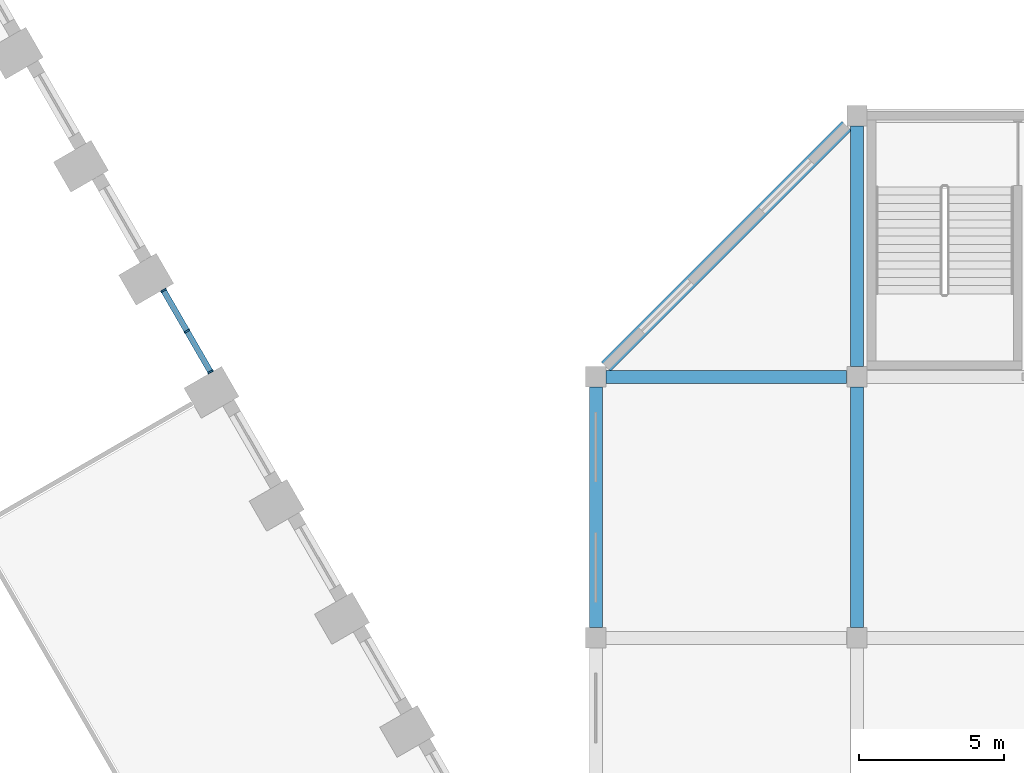
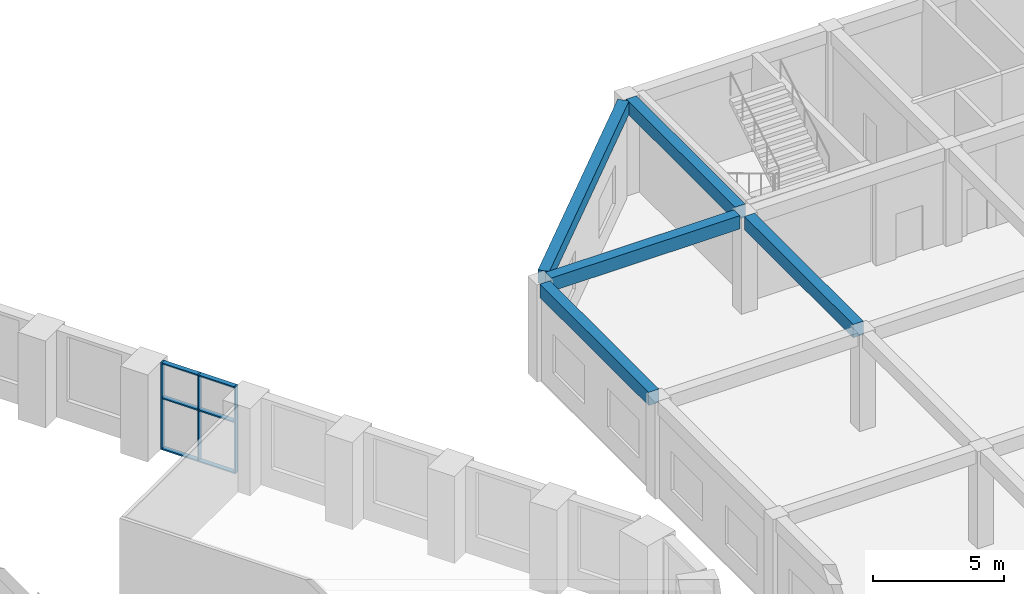
# One storey, part 9 of 42: 9 members, 5 beams, 1 element without a shape of its own.
"""IFC4 building model written with IfcOpenShell, lengths in metres."""

from ifc_helpers import new_model, si_unit, direction, frame, origin, origin_2d, place, context, subcontext, project, spatial, rectangle, extrude, material, layer, layer_set, material_profile, profile_set, type_object, element, aggregate, save


model = new_model("IFC4")

# Units and contexts
model_context = context("Model", 3, precision=1e-05, world=origin(), true_north=direction((0.0, 1.0)))
body_context = subcontext(model_context, "Body", "Model", "MODEL_VIEW")
ifc_project = project(units=[si_unit("LENGTHUNIT", "METRE"), si_unit("AREAUNIT", "SQUARE_METRE"), si_unit("VOLUMEUNIT", "CUBIC_METRE"), si_unit("PLANEANGLEUNIT", "RADIAN"), si_unit("MASSUNIT", "GRAM", prefix="KILO")], contexts=[model_context])

# Site, building, storey
site_placement = place(None, origin())
site = spatial("IfcSite", under=ifc_project, at=site_placement, CompositionType="ELEMENT")
building_placement = place(site_placement, origin())
building = spatial("IfcBuilding", under=site, at=building_placement, Name="Dhurran Vertical Campus", CompositionType="ELEMENT")
storey_placement = place(building_placement, frame((0.0, 0.0, 6.0)))
storey = spatial("IfcBuildingStorey", under=building, at=storey_placement, Name="L01", CompositionType="ELEMENT", Elevation=6.0)

# Curtain wall, members
ifc_material_1 = material(Name="Aluminium frame with solar-control glass", Category="aluminium")
ifc_layer = layer(ifc_material_1, 0.199951171875)
ifc_layer_set = layer_set([ifc_layer], Name="Aluminium frame with solar-control glass")
curtain_wall_type = type_object("IfcCurtainWallType", Name="Entrance glazing system", PredefinedType="NOTDEFINED", material=ifc_layer_set)
curtain_wall_placement = place(storey_placement, origin())
curtain_wall = element("IfcCurtainWall", 1, at=curtain_wall_placement, inside=storey, type_object=curtain_wall_type, Name="CW1 L01.30", PredefinedType="NOTDEFINED")
ifc_material_2 = material(Name="Aluminium mullion", Category="aluminium")
ifc_material_profile_1 = material_profile(ifc_material_2, rectangle(XDim=0.199951171875, YDim=0.06005859375, at=origin_2d()), Name="Entrance glazing system mullion")
ifc_profile_set_1 = profile_set([ifc_material_profile_1], Name="Aluminium mullion")
member_type_1 = type_object("IfcMemberType", Name="Entrance glazing system mullion", PredefinedType="MULLION", material=ifc_profile_set_1)
member_1_placement = place(storey_placement, frame((48.2138671875, 18.171875, 0.0), z_axis=(0.0, 0.0, 1.0), x_axis=(-0.866024054345, -0.50000233729, 0.0)))
member_1 = element("IfcMember", 2, at=member_1_placement, type_object=member_type_1, Name="CW1 mullion 1", PredefinedType="MULLION", context=body_context, shape_type="SweptSolid", body=[
    extrude(rectangle(XDim=0.199951171875, YDim=0.06005859375, at=origin_2d()), origin(), (0.0, 0.0, 1.0), 4.050048828125),
])
member_2_placement = place(storey_placement, frame((47.404052734375, 19.574462890625, 0.0), z_axis=(0.0, 0.0, 1.0), x_axis=(-0.866024054345, -0.50000233729, 0.0)))
member_2 = element("IfcMember", 3, at=member_2_placement, type_object=member_type_1, Name="CW1 mullion 2", PredefinedType="MULLION", context=body_context, shape_type="SweptSolid", body=[
    extrude(rectangle(XDim=0.199951171875, YDim=0.06005859375, at=origin_2d()), origin(), (0.0, 0.0, 1.0), 4.050048828125),
])
member_3_placement = place(storey_placement, frame((46.59423828125, 20.97705078125, 0.0), z_axis=(0.0, 0.0, 1.0), x_axis=(-0.866024054345, -0.50000233729, 0.0)))
member_3 = element("IfcMember", 4, at=member_3_placement, type_object=member_type_1, Name="CW1 mullion 3", PredefinedType="MULLION", context=body_context, shape_type="SweptSolid", body=[
    extrude(rectangle(XDim=0.199951171875, YDim=0.06005859375, at=origin_2d()), origin(), (0.0, 0.0, 1.0), 4.050048828125),
])
ifc_material_3 = material(Name="Aluminium transom", Category="aluminium")
ifc_material_profile_2 = material_profile(ifc_material_3, rectangle(XDim=0.199951171875, YDim=0.06005859375, at=origin_2d()), Name="Entrance glazing system transom")
ifc_profile_set_2 = profile_set([ifc_material_profile_2], Name="Aluminium transom")
member_type_2 = type_object("IfcMemberType", Name="Entrance glazing system transom", PredefinedType="USERDEFINED", material=ifc_profile_set_2)
member_4_placement = place(storey_placement, frame((48.19873046875, 18.197998046875, 0.030029296875), z_axis=(-0.500011542666, 0.866018739521, 0.0), x_axis=(-0.866018739521, -0.500011542666, 0.0)))
member_4 = element("IfcMember", 5, at=member_4_placement, type_object=member_type_2, Name="CW1 transom 1.1", ObjectType="TRANSOM", PredefinedType="USERDEFINED", context=body_context, shape_type="SweptSolid", body=[
    extrude(rectangle(XDim=0.199951171875, YDim=0.06005859375, at=origin_2d()), origin(), (0.0, 0.0, 1.0), 1.5595703125),
])
member_5_placement = place(storey_placement, frame((48.19873046875, 18.197998046875, 2.39990234375), z_axis=(-0.500011542666, 0.866018739521, 0.0), x_axis=(-0.866018739521, -0.500011542666, 0.0)))
member_5 = element("IfcMember", 6, at=member_5_placement, type_object=member_type_2, Name="CW1 transom 1.2", ObjectType="TRANSOM", PredefinedType="USERDEFINED", context=body_context, shape_type="SweptSolid", body=[
    extrude(rectangle(XDim=0.199951171875, YDim=0.06005859375, at=origin_2d()), origin(), (0.0, 0.0, 1.0), 1.5595703125),
])
member_6_placement = place(storey_placement, frame((48.19873046875, 18.197998046875, 4.02001953125), z_axis=(-0.500011542666, 0.866018739521, 0.0), x_axis=(-0.866018739521, -0.500011542666, 0.0)))
member_6 = element("IfcMember", 7, at=member_6_placement, type_object=member_type_2, Name="CW1 transom 1.3", ObjectType="TRANSOM", PredefinedType="USERDEFINED", context=body_context, shape_type="SweptSolid", body=[
    extrude(rectangle(XDim=0.199951171875, YDim=0.06005859375, at=origin_2d()), origin(), (0.0, 0.0, 1.0), 1.5595703125),
])
member_7_placement = place(storey_placement, frame((47.38916015625, 19.6005859375, 0.030029296875), z_axis=(-0.500079338265, 0.86597959297, 0.0), x_axis=(-0.86597959297, -0.500079338265, 0.0)))
member_7 = element("IfcMember", 8, at=member_7_placement, type_object=member_type_2, Name="CW1 transom 2.1", ObjectType="TRANSOM", PredefinedType="USERDEFINED", context=body_context, shape_type="SweptSolid", body=[
    extrude(rectangle(XDim=0.199951171875, YDim=0.06005859375, at=origin_2d()), origin(), (0.0, 0.0, 1.0), 1.559326171875),
])
member_8_placement = place(storey_placement, frame((47.38916015625, 19.6005859375, 2.39990234375), z_axis=(-0.500079338265, 0.86597959297, 0.0), x_axis=(-0.86597959297, -0.500079338265, 0.0)))
member_8 = element("IfcMember", 9, at=member_8_placement, type_object=member_type_2, Name="CW1 transom 2.2", ObjectType="TRANSOM", PredefinedType="USERDEFINED", context=body_context, shape_type="SweptSolid", body=[
    extrude(rectangle(XDim=0.199951171875, YDim=0.06005859375, at=origin_2d()), origin(), (0.0, 0.0, 1.0), 1.559326171875),
])
member_9_placement = place(storey_placement, frame((47.38916015625, 19.6005859375, 4.02001953125), z_axis=(-0.500079338265, 0.86597959297, 0.0), x_axis=(-0.86597959297, -0.500079338265, 0.0)))
member_9 = element("IfcMember", 10, at=member_9_placement, type_object=member_type_2, Name="CW1 transom 2.3", ObjectType="TRANSOM", PredefinedType="USERDEFINED", context=body_context, shape_type="SweptSolid", body=[
    extrude(rectangle(XDim=0.199951171875, YDim=0.06005859375, at=origin_2d()), origin(), (0.0, 0.0, 1.0), 1.559326171875),
])
aggregate(curtain_wall, [member_1, member_2, member_3, member_4, member_5, member_6, member_7, member_8, member_9])

# Beams
ifc_material_4 = material(Name="Concrete C40/50", Category="concrete")
ifc_material_profile_3 = material_profile(ifc_material_4, rectangle(XDim=0.449951171875, YDim=0.6201171875, at=origin_2d()), Name="hl-girder 450x620")
ifc_profile_set_3 = profile_set([ifc_material_profile_3], Name="Concrete C40/50")
beam_type = type_object("IfcBeamType", Name="hl-girder 450x620", PredefinedType="BEAM", material=ifc_profile_set_3)
for number, where, z_axis, x_axis, name in (
    (11, (61.5, 9.35009765625, 4.2099609375), (0.0, 1.0, 0.0), (-1.0, 0.0, 0.0), "Hall girder L01-008"),
    (12, (61.85009765625, 18.0, 4.2099609375), (1.0, 0.0, 0.0), (0.0, 1.0, 0.0), "Hall girder L01-010"),
    (13, (70.5, 9.35009765625, 4.2099609375), (0.0, 1.0, 0.0), (-1.0, 0.0, 0.0), "Hall girder L01-019"),
    (14, (70.5, 18.35009765625, 4.2099609375), (0.0, 1.0, 0.0), (-1.0, 0.0, 0.0), "Hall girder L01-021"),
):
    element("IfcBeam", number, at=place(storey_placement, frame(where, z_axis=z_axis, x_axis=x_axis)), inside=storey, type_object=beam_type, Name=name, PredefinedType="BEAM", context=body_context, shape_type="SweptSolid", body=[
        extrude(rectangle(XDim=0.449951171875, YDim=0.6201171875, at=origin_2d()), origin(), (0.0, 0.0, 1.0), 8.2998046875),
    ])
beam_placement = place(storey_placement, frame((70.14990234375, 26.64990234375, 4.2099609375), z_axis=(-0.707106781187, -0.707106781187, 0.0), x_axis=(0.707106781187, -0.707106781187, 0.0)))
element("IfcBeam", 15, at=beam_placement, inside=storey, type_object=beam_type, Name="Hall girder L01-023", PredefinedType="BEAM", context=body_context, shape_type="SweptSolid", body=[
    extrude(rectangle(XDim=0.449951171875, YDim=0.6201171875, at=origin_2d()), origin(), (0.0, 0.0, 1.0), 11.73779296875),
])

save(model, "model.ifc")
